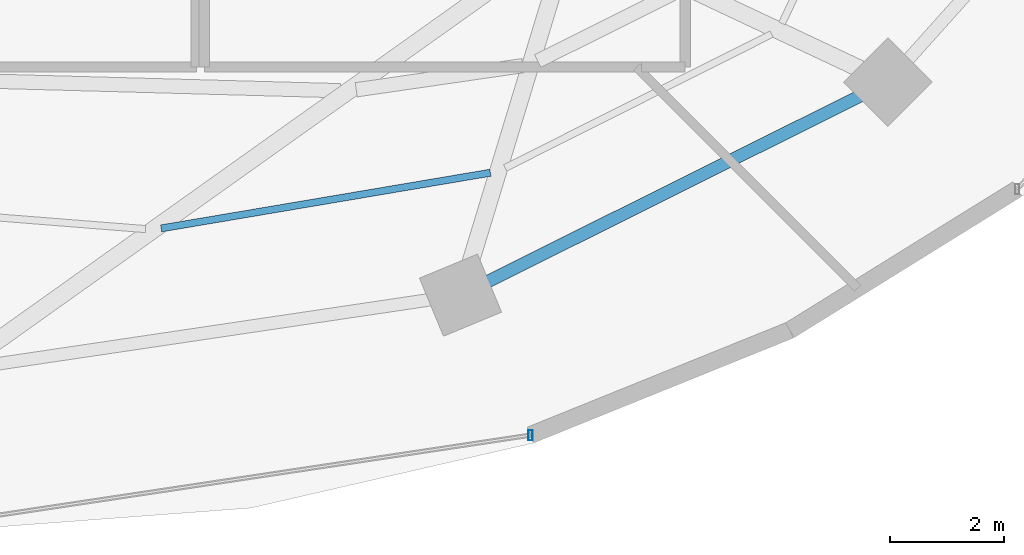
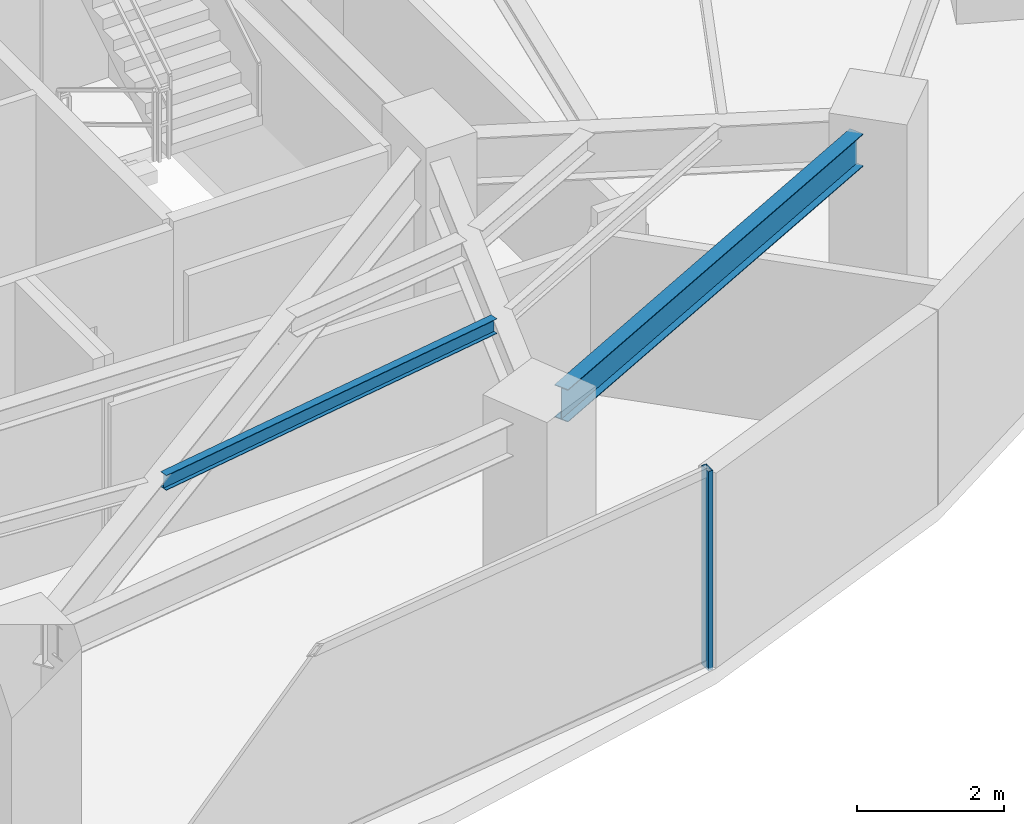
# One storey, part 11 of 31: 2 beams, 1 member, 1 element without a shape of its own.
"""IFC4 building model written with IfcOpenShell, lengths in metres."""

import ifcopenshell
import ifcopenshell.guid

model = None  # the IFC model being written
_history = None  # IfcOwnerHistory: only IFC2X3 demands one
_inside = {}  # id of a spatial element -> (the spatial element, [elements in it])
_under = {}  # id of a project, library or spatial element -> (it, [spatial elements below it])
_declared = {}  # id of a project -> (the project, [libraries it declares])
_typed = {}  # id of a type object -> (the type object, [elements of that type])
_made_of = {}  # id of a material, layer set ... -> (it, [elements and type objects made of it])


def new_model(schema):
    """Start an empty IFC model of exactly this schema.

    Asked for "IFC4X3", IfcOpenShell would pick the latest addendum, in which some entities
    have other attributes; the version numbers below select the first issue.
    IFC2X3 requires an IfcOwnerHistory on every rooted entity: one is made here for all.
    """
    global model, _history
    if schema == "IFC4X3":
        model = ifcopenshell.file(schema_version=(4, 3, 0, 0))
    else:
        model = ifcopenshell.file(schema=schema)
    _inside.clear()
    _under.clear()
    _declared.clear()
    _typed.clear()
    _made_of.clear()
    _history = None
    if model.schema == "IFC2X3":
        org = make("IfcOrganization", Name="unknown")
        user = make(
            "IfcPersonAndOrganization",
            ThePerson=make("IfcPerson", FamilyName="unknown"),
            TheOrganization=org,
        )
        app = make(
            "IfcApplication",
            ApplicationDeveloper=org,
            Version="unknown",
            ApplicationFullName="unknown",
            ApplicationIdentifier="unknown",
        )
        _history = make(
            "IfcOwnerHistory",
            OwningUser=user,
            OwningApplication=app,
            ChangeAction="ADDED",
            CreationDate=0,
        )
    return model


def make(cls, **values):
    """One entity of the class cls with the attributes given. An attribute that is None is left unset."""
    return model.create_entity(
        cls, **{name: value for name, value in values.items() if value is not None}
    )


def rooted(cls, **values):
    """An entity with a GlobalId (a new one), such as an element, a storey or a relation."""
    return make(cls, GlobalId=ifcopenshell.guid.new(), OwnerHistory=_history, **values)


def si_unit(unit_type, name, prefix=None):
    """IfcSIUnit, for example si_unit("LENGTHUNIT", "METRE", prefix="MILLI")."""
    return make("IfcSIUnit", UnitType=unit_type, Prefix=prefix, Name=name)


def assignment(units):
    """IfcUnitAssignment: the units of a project."""
    return None if units is None else make("IfcUnitAssignment", Units=units)


def point(xyz):
    """IfcCartesianPoint."""
    return None if xyz is None else make("IfcCartesianPoint", Coordinates=xyz)


def direction(xyz):
    """IfcDirection."""
    return None if xyz is None else make("IfcDirection", DirectionRatios=xyz)


def frame(location, z_axis=None, x_axis=None):
    """IfcAxis2Placement3D, a coordinate frame: its origin and axes. An axis left out is left unset."""
    return make(
        "IfcAxis2Placement3D",
        Location=point(location),
        Axis=direction(z_axis),
        RefDirection=direction(x_axis),
    )


def frame_2d(location, x_axis=None):
    """IfcAxis2Placement2D, a coordinate frame in the plane: its origin and x axis."""
    return make(
        "IfcAxis2Placement2D", Location=point(location), RefDirection=direction(x_axis)
    )


def origin():
    """The frame at (0, 0, 0) with its axes left unset."""
    return frame((0.0, 0.0, 0.0))


def origin_2d():
    """The frame at (0, 0) in the plane with its x axis left unset."""
    return frame_2d((0.0, 0.0))


def place(relative_to, where):
    """IfcLocalPlacement: puts the frame where relative to a parent placement (None: the world)."""
    return make(
        "IfcLocalPlacement", PlacementRelTo=relative_to, RelativePlacement=where
    )


def context(
    kind, dimensions, precision=None, world=None, true_north=None, identifier=None
):
    """IfcGeometricRepresentationContext, for example the 3D "Model" context."""
    return make(
        "IfcGeometricRepresentationContext",
        ContextIdentifier=identifier,
        ContextType=kind,
        CoordinateSpaceDimension=dimensions,
        Precision=precision,
        WorldCoordinateSystem=world,
        TrueNorth=true_north,
    )


def subcontext(parent, identifier, kind, view, scale=None):
    """IfcGeometricRepresentationSubContext, for example "Body" below "Model"."""
    return make(
        "IfcGeometricRepresentationSubContext",
        ContextIdentifier=identifier,
        ContextType=kind,
        ParentContext=parent,
        TargetScale=scale,
        TargetView=view,
    )


def project(units=None, contexts=None):
    """IfcProject with its units and contexts."""
    return rooted(
        "IfcProject",
        Name="project",
        RepresentationContexts=contexts,
        UnitsInContext=assignment(units),
    )


def spatial(cls, under=None, at=None, **own):
    """A site, building, storey or space (cls), placed at a placement, below another one or the project."""
    s = rooted(cls, ObjectPlacement=at, **own)
    if under is not None:
        _under.setdefault(under.id(), (under, []))[1].append(s)
    return s


def profile(cls, at=None, kind="AREA", **sizes):
    """A parametric profile (cls). Its sizes go by their IFC names, for example OverallWidth=200.0."""
    return make(cls, ProfileType=kind, Position=at, **sizes)


def hollow_rectangle(**sizes):
    """IfcRectangleHollowProfileDef."""
    return profile("IfcRectangleHollowProfileDef", **sizes)


def i_section(**sizes):
    """IfcIShapeProfileDef."""
    return profile("IfcIShapeProfileDef", **sizes)


def extrude(swept, where, along, depth):
    """IfcExtrudedAreaSolid: the profile swept, set in the frame where, extruded along a direction by depth."""
    return make(
        "IfcExtrudedAreaSolid",
        SweptArea=swept,
        Position=where,
        ExtrudedDirection=direction(along),
        Depth=depth,
    )


def shape(context_of_items, identifier, shape_type, items):
    """IfcShapeRepresentation: the items that make up one representation, for example the "Body"."""
    return make(
        "IfcShapeRepresentation",
        ContextOfItems=context_of_items,
        RepresentationIdentifier=identifier,
        RepresentationType=shape_type,
        Items=items,
    )


def material(Name=None, Category=None):
    """IfcMaterial."""
    return make("IfcMaterial", Name=Name, Category=Category)


def material_profile(
    of_material, cross_section, Name=None, Category=None, Priority=None
):
    """IfcMaterialProfile: a cross section and its material."""
    return make(
        "IfcMaterialProfile",
        Name=Name,
        Material=of_material,
        Profile=cross_section,
        Priority=Priority,
        Category=Category,
    )


def profile_set(profiles, Name=None, composite=None):
    """IfcMaterialProfileSet."""
    return make(
        "IfcMaterialProfileSet",
        Name=Name,
        MaterialProfiles=profiles,
        CompositeProfile=composite,
    )


def made_of(thing, what):
    """Note that an element or type object is made of a material, layer set ...; save() writes the relation."""
    if what is not None:
        _made_of.setdefault(what.id(), (what, []))[1].append(thing)
    return thing


def type_object(cls, material=None, **own):
    """A type object (cls), such as IfcWallType, which elements share."""
    return made_of(rooted(cls, **own), material)


def element(
    cls,
    number,
    at=None,
    inside=None,
    cuts=None,
    type_object=None,
    material=None,
    context=None,
    identifier="Body",
    shape_type=None,
    held_by="IfcProductDefinitionShape",
    body=None,
    shapes=None,
    **own,
):
    """One element of the class cls, such as IfcWall. Its Tag is "e" and its number.

    at: its placement. inside: the storey or other place that contains it. cuts: it is an
    opening in that element (IfcRelVoidsElement). A single representation is given by context,
    identifier, shape_type and body (its items); several are given by shapes. held_by: the class
    of the entity that holds the representations. save() writes the other relations.
    """
    e = rooted(cls, Tag="e%d" % number, ObjectPlacement=at, **own)
    if body is not None:
        shapes = [shape(context, identifier, shape_type, body)]
    if shapes is not None:
        e.Representation = make(held_by, Representations=shapes)
    if inside is not None:
        _inside.setdefault(inside.id(), (inside, []))[1].append(e)
    if cuts is not None:
        rooted(
            "IfcRelVoidsElement", RelatingBuildingElement=cuts, RelatedOpeningElement=e
        )
    if type_object is not None:
        _typed.setdefault(type_object.id(), (type_object, []))[1].append(e)
    return made_of(e, material)


def aggregate(whole, parts):
    """IfcRelAggregates: a whole, such as a stair, and the parts it consists of."""
    return rooted("IfcRelAggregates", RelatingObject=whole, RelatedObjects=parts)


def save(model, path):
    """Write the relations noted so far, then the file.

    IfcRelAggregates (storeys below a building ...), IfcRelContainedInSpatialStructure (elements
    in a storey), IfcRelDefinesByType, IfcRelAssociatesMaterial and IfcRelDeclares: one each for
    every whole, place, type object, material and project.
    """
    for whole, parts in _under.values():
        aggregate(whole, parts)
    for where, things in _inside.values():
        rooted(
            "IfcRelContainedInSpatialStructure",
            RelatedElements=things,
            RelatingStructure=where,
        )
    for kind, things in _typed.values():
        rooted("IfcRelDefinesByType", RelatedObjects=things, RelatingType=kind)
    for what, things in _made_of.values():
        rooted("IfcRelAssociatesMaterial", RelatedObjects=things, RelatingMaterial=what)
    for by, libraries in _declared.values():
        rooted("IfcRelDeclares", RelatingContext=by, RelatedDefinitions=libraries)
    model.write(path)


model = new_model("IFC4")

# Units and contexts
model_context = context("Model", 3, precision=1e-05, world=origin(), true_north=direction((0.0, 1.0)))
body_context = subcontext(model_context, "Body", "Model", "MODEL_VIEW")
ifc_project = project(units=[si_unit("LENGTHUNIT", "METRE"), si_unit("AREAUNIT", "SQUARE_METRE"), si_unit("VOLUMEUNIT", "CUBIC_METRE"), si_unit("PLANEANGLEUNIT", "RADIAN"), si_unit("MASSUNIT", "GRAM", prefix="KILO")], contexts=[model_context])

# Site, building, storey
site_placement = place(None, origin())
site = spatial("IfcSite", under=ifc_project, at=site_placement, CompositionType="ELEMENT")
building_placement = place(site_placement, origin())
building = spatial("IfcBuilding", under=site, at=building_placement, Name="Vorneva Point Tower", CompositionType="ELEMENT")
storey_placement = place(building_placement, frame((0.0, 0.0, 103.300048828125)))
storey = spatial("IfcBuildingStorey", under=building, at=storey_placement, Name="L27", CompositionType="ELEMENT", Elevation=103.300048828125)

# Beams
ifc_material_1 = material(Name="Steel S355", Category="steel")
ifc_material_profile_1 = material_profile(ifc_material_1, i_section(OverallWidth=0.1240234375, OverallDepth=0.248046875, WebThickness=0.0048828125, FlangeThickness=0.008056640625, at=origin_2d()), Name="25B1")
ifc_profile_set_1 = profile_set([ifc_material_profile_1], Name="Steel S355")
beam_type_1 = type_object("IfcBeamType", Name="BM-JST-25B1", PredefinedType="JOIST", material=ifc_profile_set_1)
beam_1_placement = place(storey_placement, frame((41.584716796875, 11.277099609375, 3.115966796875), z_axis=(0.985993367103, 0.166784531742, 0.0), x_axis=(-0.166784531742, 0.985993367103, 0.0)))
element("IfcBeam", 1, at=beam_1_placement, inside=storey, type_object=beam_type_1, Name="L27 Secondary Floor Beam 1.13", PredefinedType="JOIST", context=body_context, shape_type="SweptSolid", body=[
    extrude(i_section(OverallWidth=0.1240234375, OverallDepth=0.248046875, WebThickness=0.0048828125, FlangeThickness=0.008056640625, at=origin_2d()), origin(), (0.0, 0.0, 1.0), 5.840576171875),
])
ifc_material_profile_2 = material_profile(ifc_material_1, i_section(OverallWidth=0.219970703125, OverallDepth=0.54296875, WebThickness=0.009521484375, FlangeThickness=0.013427734375, at=origin_2d()), Name="55B1")
ifc_profile_set_2 = profile_set([ifc_material_profile_2], Name="Steel S355")
beam_type_2 = type_object("IfcBeamType", Name="BM-SPN-55B1", PredefinedType="SPANDREL", material=ifc_profile_set_2)
beam_2_placement = place(storey_placement, frame((47.2998046875, 10.347900390625, 2.968505859375), z_axis=(0.894915882304, 0.446234874926, 0.0), x_axis=(-0.446234874926, 0.894915882304, 0.0)))
element("IfcBeam", 2, at=beam_2_placement, inside=storey, type_object=beam_type_2, Name="L27 Perimeter Spandrel Ring Beam 14", PredefinedType="SPANDREL", context=body_context, shape_type="SweptSolid", body=[
    extrude(i_section(OverallWidth=0.219970703125, OverallDepth=0.54296875, WebThickness=0.009521484375, FlangeThickness=0.013427734375, at=origin_2d()), origin(), (0.0, 0.0, 1.0), 7.285888671875),
])

# Curtain wall, member
ifc_material_2 = material(Name="Pale anodised aluminium", Category="aluminium")
curtain_wall_type = type_object("IfcCurtainWallType", Name="CW-HTL-SYS", PredefinedType="NOTDEFINED", material=ifc_material_2)
curtain_wall_placement = place(storey_placement, origin())
curtain_wall = element("IfcCurtainWall", 3, at=curtain_wall_placement, inside=storey, type_object=curtain_wall_type, Name="L27 Unitised Curtain Wall CW-L27-R04", PredefinedType="NOTDEFINED")
ifc_material_profile_3 = material_profile(ifc_material_2, hollow_rectangle(XDim=0.074951171875, YDim=0.179931640625, WallThickness=0.00390625, at=origin_2d()), Name="AL-MUL 180x75x4")
ifc_profile_set_3 = profile_set([ifc_material_profile_3], Name="Pale anodised aluminium")
member_type = type_object("IfcMemberType", Name="CW-MUL-180", PredefinedType="MULLION", material=ifc_profile_set_3)
member_placement = place(storey_placement, frame((48.04541015625, 7.660888671875, -0.0400390625), z_axis=(0.0, 0.0, 1.0), x_axis=(1.0, 0.0, 0.0)))
member = element("IfcMember", 4, at=member_placement, type_object=member_type, Name="CW-L27-R04 Mullion 04", PredefinedType="MULLION", context=body_context, shape_type="SweptSolid", body=[
    extrude(hollow_rectangle(XDim=0.074951171875, YDim=0.179931640625, WallThickness=0.00390625, at=origin_2d()), origin(), (0.0, 0.0, 1.0), 3.31005859375),
])
aggregate(curtain_wall, [member])

save(model, "model.ifc")
